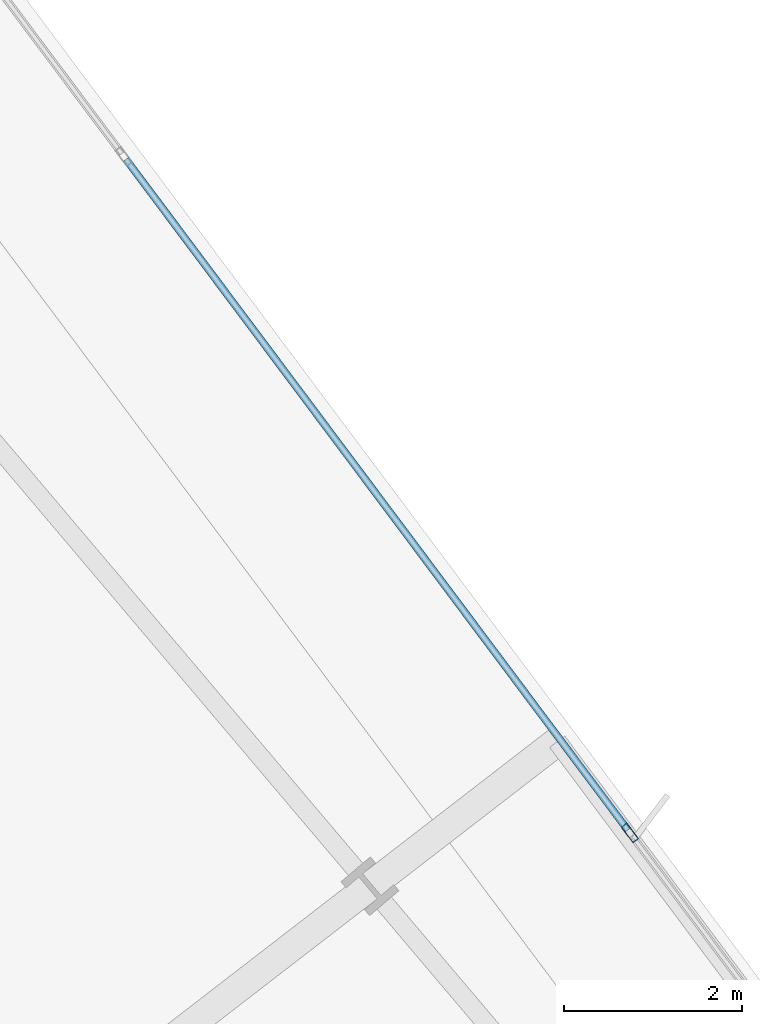
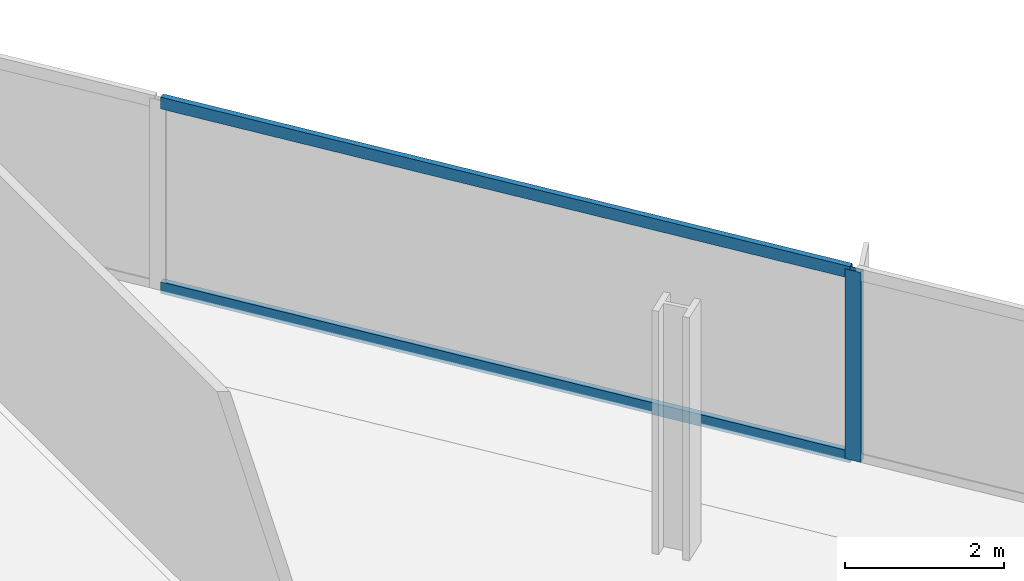
# One storey, part 21 of 32: 3 members, 1 element without a shape of its own.
"""IFC4 building model written with IfcOpenShell, lengths in metres."""

from ifc_helpers import new_model, si_unit, direction, frame, origin, origin_2d, place, context, subcontext, project, spatial, hollow_rectangle, extrude, material, material_profile, profile_set, type_object, element, aggregate, save


model = new_model("IFC4")

# Units and contexts
model_context = context("Model", 3, precision=1e-05, world=origin(), true_north=direction((0.0, 1.0)))
body_context = subcontext(model_context, "Body", "Model", "MODEL_VIEW")
ifc_project = project(units=[si_unit("LENGTHUNIT", "METRE"), si_unit("AREAUNIT", "SQUARE_METRE"), si_unit("VOLUMEUNIT", "CUBIC_METRE"), si_unit("PLANEANGLEUNIT", "RADIAN"), si_unit("MASSUNIT", "GRAM", prefix="KILO")], contexts=[model_context])

# Site, building, storey
site_placement = place(None, origin())
site = spatial("IfcSite", under=ifc_project, at=site_placement, CompositionType="ELEMENT")
building_placement = place(site_placement, origin())
building = spatial("IfcBuilding", under=site, at=building_placement, Name="Haldenkirk Collegiate Tower", CompositionType="ELEMENT")
storey_placement = place(building_placement, frame((0.0, 0.0, 151.949951171875)))
storey = spatial("IfcBuildingStorey", under=building, at=storey_placement, Name="L37", CompositionType="ELEMENT", Elevation=151.949951171875)

# Curtain wall, members
ifc_material = material(Name="Anodised architectural bronze aluminium", Category="aluminium")
curtain_wall_type = type_object("IfcCurtainWallType", Name="CW-SYS1-CONVEX-LOW", PredefinedType="USERDEFINED", material=ifc_material)
curtain_wall_placement = place(storey_placement, origin())
curtain_wall = element("IfcCurtainWall", 1, at=curtain_wall_placement, inside=storey, type_object=curtain_wall_type, Name="L37 Lower tower convex bronze-framed unitised curtain wall", ObjectType="UNITISED CURTAIN WALL", PredefinedType="USERDEFINED")
ifc_material_profile_1 = material_profile(ifc_material, hollow_rectangle(XDim=0.080078125, YDim=0.219970703125, WallThickness=0.0048828125, at=origin_2d()), Name="CW-MUL-1A")
ifc_profile_set_1 = profile_set([ifc_material_profile_1], Name="Anodised architectural bronze aluminium")
member_type_1 = type_object("IfcMemberType", Name="CW-MUL-1A", PredefinedType="MULLION", material=ifc_profile_set_1)
member_1_placement = place(storey_placement, frame((56.09423828125, 40.907470703125, 0.0), z_axis=(0.0, 0.0, 1.0), x_axis=(0.800730460187, 0.599024815954, 0.0)))
member_1 = element("IfcMember", 2, at=member_1_placement, type_object=member_type_1, Name="CW-1A mullion 3", PredefinedType="MULLION", context=body_context, shape_type="SweptSolid", body=[
    extrude(hollow_rectangle(XDim=0.080078125, YDim=0.219970703125, WallThickness=0.0048828125, at=origin_2d()), origin(), (0.0, 0.0, 1.0), 2.9111328125),
])
ifc_material_profile_2 = material_profile(ifc_material, hollow_rectangle(XDim=0.080078125, YDim=0.179931640625, WallThickness=0.0048828125, at=origin_2d()), Name="CW-TRN-1A")
ifc_profile_set_2 = profile_set([ifc_material_profile_2], Name="Anodised architectural bronze aluminium")
member_type_2 = type_object("IfcMemberType", Name="CW-TRN-1A", PredefinedType="USERDEFINED", material=ifc_profile_set_2)
member_2_placement = place(storey_placement, frame((50.427490234375, 48.482421875, 0.0400390625), z_axis=(0.599033354483, -0.80072407246, 0.0), x_axis=(0.80072407246, 0.599033354483, 0.0)))
member_2 = element("IfcMember", 3, at=member_2_placement, type_object=member_type_2, Name="CW-1A transom 2.1", ObjectType="TRANSOM", PredefinedType="USERDEFINED", context=body_context, shape_type="SweptSolid", body=[
    extrude(hollow_rectangle(XDim=0.080078125, YDim=0.179931640625, WallThickness=0.0048828125, at=origin_2d()), origin(), (0.0, 0.0, 1.0), 9.419921875),
])
member_3_placement = place(storey_placement, frame((50.427490234375, 48.482421875, 2.87109375), z_axis=(0.599033354483, -0.80072407246, 0.0), x_axis=(0.80072407246, 0.599033354483, 0.0)))
member_3 = element("IfcMember", 4, at=member_3_placement, type_object=member_type_2, Name="CW-1A transom 2.2", ObjectType="TRANSOM", PredefinedType="USERDEFINED", context=body_context, shape_type="SweptSolid", body=[
    extrude(hollow_rectangle(XDim=0.080078125, YDim=0.179931640625, WallThickness=0.0048828125, at=origin_2d()), origin(), (0.0, 0.0, 1.0), 9.419921875),
])
aggregate(curtain_wall, [member_1, member_2, member_3])

save(model, "model.ifc")
